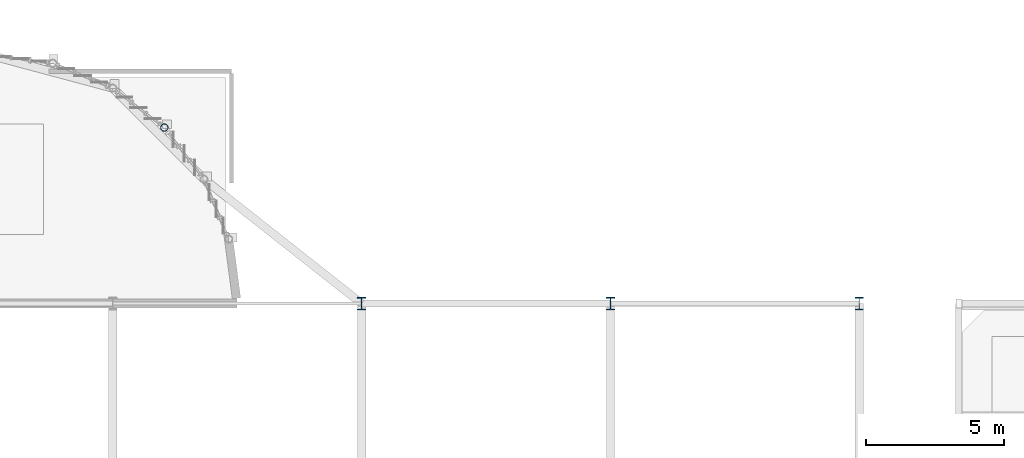
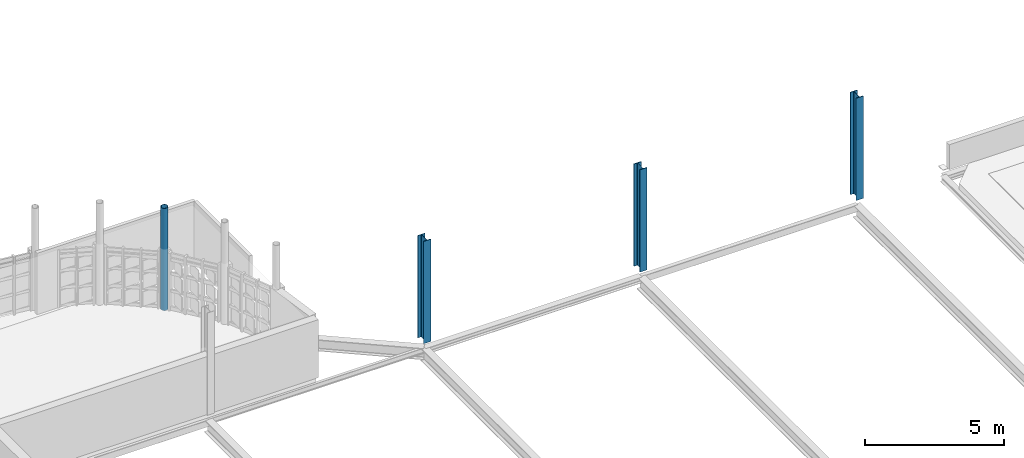
# One storey, part 5 of 44: 4 columns.
"""IFC4 building model written with IfcOpenShell, lengths in metres."""

from ifc_helpers import new_model, si_unit, direction, frame, origin, origin_2d, place, context, subcontext, project, spatial, hollow_circle, i_section, extrude, material, material_profile, profile_set, type_object, element, save


model = new_model("IFC4")

# Units and contexts
model_context = context("Model", 3, precision=1e-05, world=origin(), true_north=direction((0.0, 1.0)))
body_context = subcontext(model_context, "Body", "Model", "MODEL_VIEW")
ifc_project = project(units=[si_unit("LENGTHUNIT", "METRE"), si_unit("AREAUNIT", "SQUARE_METRE"), si_unit("VOLUMEUNIT", "CUBIC_METRE"), si_unit("PLANEANGLEUNIT", "RADIAN"), si_unit("MASSUNIT", "GRAM", prefix="KILO")], contexts=[model_context])

# Site, building, storey
site_placement = place(None, origin())
site = spatial("IfcSite", under=ifc_project, at=site_placement, CompositionType="ELEMENT")
building_placement = place(site_placement, origin())
building = spatial("IfcBuilding", under=site, at=building_placement, Name="Serraforn Aerial Cableway Station", CompositionType="ELEMENT")
storey_placement = place(building_placement, frame((0.0, 0.0, 13.800048828125)))
storey = spatial("IfcBuildingStorey", under=building, at=storey_placement, Name="L03", CompositionType="ELEMENT", Elevation=13.800048828125)

# Columns
ifc_material = material(Name="Steel S355J2", Category="steel")
ifc_material_profile_1 = material_profile(ifc_material, hollow_circle(Radius=0.136474609375, WallThickness=0.012451171875, at=origin_2d()), Name="CHS 273.0x12.5")
ifc_profile_set_1 = profile_set([ifc_material_profile_1], Name="Steel S355J2")
column_type_1 = type_object("IfcColumnType", Name="COL-ST-CHS273", PredefinedType="COLUMN", material=ifc_profile_set_1)
column_placement = place(storey_placement, frame((65.464111328125, 48.364013671875, 0.0), z_axis=(0.0, 0.0, 1.0), x_axis=(1.0, 0.0, 0.0)))
element("IfcColumn", 1, at=column_placement, inside=storey, type_object=column_type_1, Name="Apse Radial Column L03-9", PredefinedType="COLUMN", context=body_context, shape_type="SweptSolid", body=[
    extrude(hollow_circle(Radius=0.136474609375, WallThickness=0.012451171875, at=origin_2d()), origin(), (0.0, 0.0, 1.0), 4.5),
])
ifc_material_profile_2 = material_profile(ifc_material, i_section(OverallWidth=0.300048828125, OverallDepth=0.449951171875, WebThickness=0.013916015625, FlangeThickness=0.02587890625, FilletRadius=0.027099609375, at=origin_2d()), Name="HEB 450")
ifc_profile_set_2 = profile_set([ifc_material_profile_2], Name="Steel S355J2")
column_type_2 = type_object("IfcColumnType", Name="COL-ST-HEB450", PredefinedType="COLUMN", material=ifc_profile_set_2)
for number, where, z_axis, x_axis, name in (
    (2, (72.60009765625, 42.0, 0.0), (0.0, 0.0, 1.0), (1.0, 0.0, 0.0), "Column CV L03 10-F"),
    (3, (81.60009765625, 42.0, 0.0), (0.0, 0.0, 1.0), (1.0, 0.0, 0.0), "Column CV L03 11-F"),
    (4, (90.60009765625, 42.0, 0.0), (0.0, 0.0, 1.0), (1.0, 0.0, 0.0), "Column CV L03 12-F"),
):
    element("IfcColumn", number, at=place(storey_placement, frame(where, z_axis=z_axis, x_axis=x_axis)), inside=storey, type_object=column_type_2, Name=name, PredefinedType="COLUMN", context=body_context, shape_type="SweptSolid", body=[
        extrude(i_section(OverallWidth=0.300048828125, OverallDepth=0.449951171875, WebThickness=0.013916015625, FlangeThickness=0.02587890625, FilletRadius=0.027099609375, at=origin_2d()), origin(), (0.0, 0.0, 1.0), 4.5),
    ])

save(model, "model.ifc")
